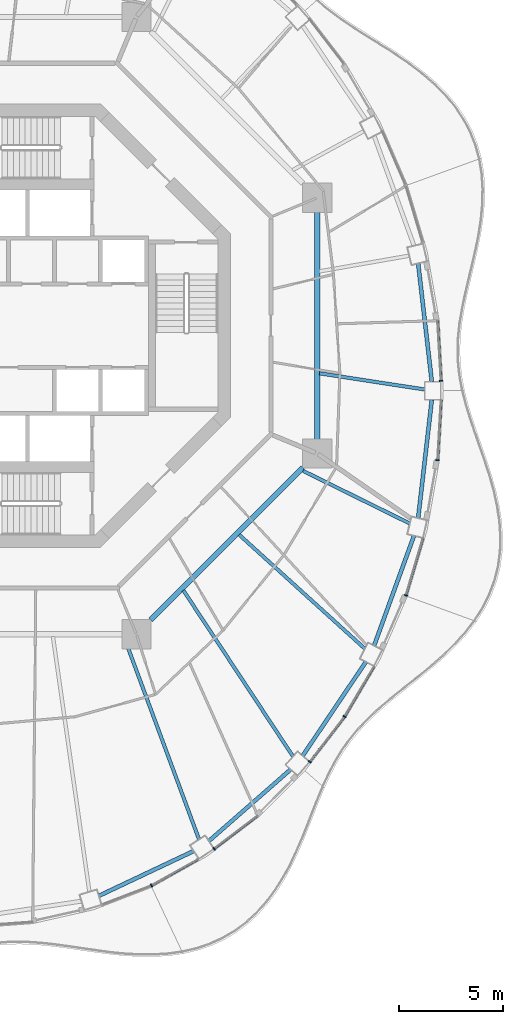
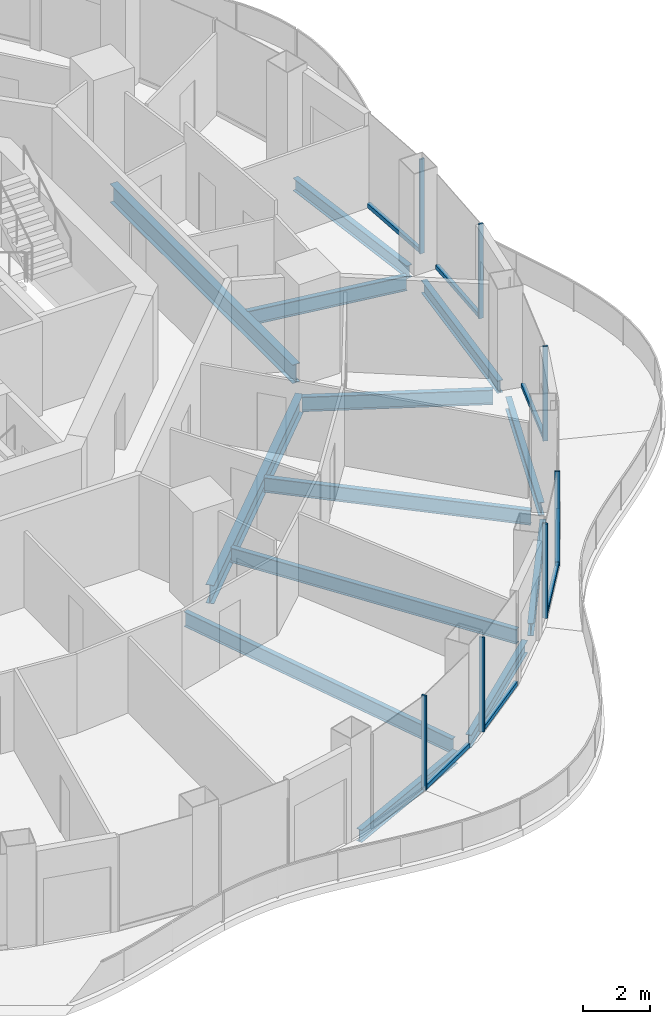
# One storey, part 4 of 17: 14 members, 13 beams, 7 elements without a shape of their own.
"""IFC4 building model written with IfcOpenShell, lengths in metres."""

from ifc_helpers import new_model, si_unit, direction, frame, origin, origin_2d, place, context, subcontext, project, spatial, rectangle, i_section, extrude, material, layer, layer_set, material_profile, profile_set, type_object, element, aggregate, save


model = new_model("IFC4")

# Units and contexts
model_context = context("Model", 3, precision=1e-05, world=origin(), true_north=direction((0.0, 1.0)))
body_context = subcontext(model_context, "Body", "Model", "MODEL_VIEW")
ifc_project = project(units=[si_unit("LENGTHUNIT", "METRE"), si_unit("AREAUNIT", "SQUARE_METRE"), si_unit("VOLUMEUNIT", "CUBIC_METRE"), si_unit("PLANEANGLEUNIT", "RADIAN"), si_unit("MASSUNIT", "GRAM", prefix="KILO")], contexts=[model_context])

# Site, building, storey
site_placement = place(None, origin())
site = spatial("IfcSite", under=ifc_project, at=site_placement, CompositionType="ELEMENT")
building_placement = place(site_placement, origin())
building = spatial("IfcBuilding", under=site, at=building_placement, Name="Nagisa Residences", CompositionType="ELEMENT")
storey_placement = place(building_placement, frame((0.0, 0.0, 265.89990234375)))
storey = spatial("IfcBuildingStorey", under=building, at=storey_placement, Name="L67", CompositionType="ELEMENT", Elevation=265.89990234375)

# Curtain wall, member
ifc_material_1 = material(Name="Concrete-coloured aluminium curtain wall system", Category="concrete")
ifc_layer = layer(ifc_material_1, 0.159912109375)
ifc_layer_set = layer_set([ifc_layer], Name="CW1 CURTAIN WALL")
curtain_wall_type = type_object("IfcCurtainWallType", Name="CW1 CURTAIN WALL", PredefinedType="NOTDEFINED", material=ifc_layer_set)
curtain_wall_1_placement = place(storey_placement, origin())
curtain_wall_1 = element("IfcCurtainWall", 1, at=curtain_wall_1_placement, inside=storey, type_object=curtain_wall_type, Name="cw:CW1:L67:00", PredefinedType="NOTDEFINED")
ifc_material_2 = material(Name="Concrete-coloured aluminium", Category="concrete")
ifc_material_profile_1 = material_profile(ifc_material_2, rectangle(XDim=0.159912109375, YDim=0.06005859375, at=origin_2d()), Name="CW1 MULLION 160x60")
ifc_profile_set_1 = profile_set([ifc_material_profile_1], Name="Concrete-coloured aluminium")
member_type_1 = type_object("IfcMemberType", Name="CW1 MULLION 160x60", PredefinedType="MULLION", material=ifc_profile_set_1)
member_1_placement = place(storey_placement, frame((20.712646484375, -2.64306640625, 0.0), z_axis=(0.0, 0.0, 1.0), x_axis=(-0.998345305184, -0.057503492216, 0.0)))
member_1 = element("IfcMember", 2, at=member_1_placement, type_object=member_type_1, Name="CW1 mullion", PredefinedType="MULLION", context=body_context, shape_type="SweptSolid", body=[
    extrude(rectangle(XDim=0.159912109375, YDim=0.06005859375, at=origin_2d()), origin(), (0.0, 0.0, 1.0), 3.440185546875),
])

curtain_wall_2_placement = place(storey_placement, origin())
curtain_wall_2 = element("IfcCurtainWall", 3, at=curtain_wall_2_placement, inside=storey, type_object=curtain_wall_type, Name="cw:CW1:L67:39", PredefinedType="NOTDEFINED")
member_2_placement = place(storey_placement, frame((6.84326171875, -26.81396484375, 0.0), z_axis=(0.0, 0.0, 1.0), x_axis=(-0.489376918501, 0.872072377523, 0.0)))
member_2 = element("IfcMember", 4, at=member_2_placement, type_object=member_type_1, Name="CW1 mullion", PredefinedType="MULLION", context=body_context, shape_type="SweptSolid", body=[
    extrude(rectangle(XDim=0.159912109375, YDim=0.06005859375, at=origin_2d()), origin(), (0.0, 0.0, 1.0), 3.440185546875),
])

curtain_wall_3_placement = place(storey_placement, origin())
curtain_wall_3 = element("IfcCurtainWall", 5, at=curtain_wall_3_placement, inside=storey, type_object=curtain_wall_type, Name="cw:CW1:L67:40", PredefinedType="NOTDEFINED")
member_3_placement = place(storey_placement, frame((9.84375, -25.054931640625, 0.0), z_axis=(0.0, 0.0, 1.0), x_axis=(-0.605255421737, 0.79603132756, 0.0)))
member_3 = element("IfcMember", 6, at=member_3_placement, type_object=member_type_1, Name="CW1 mullion", PredefinedType="MULLION", context=body_context, shape_type="SweptSolid", body=[
    extrude(rectangle(XDim=0.159912109375, YDim=0.06005859375, at=origin_2d()), origin(), (0.0, 0.0, 1.0), 3.440185546875),
])

curtain_wall_4_placement = place(storey_placement, origin())
curtain_wall_4 = element("IfcCurtainWall", 7, at=curtain_wall_4_placement, inside=storey, type_object=curtain_wall_type, Name="cw:CW1:L67:42", PredefinedType="NOTDEFINED")
member_4_placement = place(storey_placement, frame((14.42431640625, -20.8896484375, 0.0), z_axis=(0.0, 0.0, 1.0), x_axis=(-0.792070340816, 0.610429828235, 0.0)))
member_4 = element("IfcMember", 8, at=member_4_placement, type_object=member_type_1, Name="CW1 mullion", PredefinedType="MULLION", context=body_context, shape_type="SweptSolid", body=[
    extrude(rectangle(XDim=0.159912109375, YDim=0.06005859375, at=origin_2d()), origin(), (0.0, 0.0, 1.0), 3.440185546875),
])

curtain_wall_5_placement = place(storey_placement, origin())
curtain_wall_5 = element("IfcCurtainWall", 9, at=curtain_wall_5_placement, inside=storey, type_object=curtain_wall_type, Name="cw:CW1:L67:43", PredefinedType="NOTDEFINED")
member_5_placement = place(storey_placement, frame((16.091796875, -18.720947265625, 0.0), z_axis=(0.0, 0.0, 1.0), x_axis=(-0.862328898214, 0.506348567002, 0.0)))
member_5 = element("IfcMember", 10, at=member_5_placement, type_object=member_type_1, Name="CW1 mullion", PredefinedType="MULLION", context=body_context, shape_type="SweptSolid", body=[
    extrude(rectangle(XDim=0.159912109375, YDim=0.06005859375, at=origin_2d()), origin(), (0.0, 0.0, 1.0), 3.440185546875),
])

curtain_wall_6_placement = place(storey_placement, origin())
curtain_wall_6 = element("IfcCurtainWall", 11, at=curtain_wall_6_placement, inside=storey, type_object=curtain_wall_type, Name="cw:CW1:L67:45", PredefinedType="NOTDEFINED")
member_6_placement = place(storey_placement, frame((19.030029296875, -12.916259765625, 0.0), z_axis=(0.0, 0.0, 1.0), x_axis=(-0.958271310082, 0.285860274038, 0.0)))
member_6 = element("IfcMember", 12, at=member_6_placement, type_object=member_type_1, Name="CW1 mullion", PredefinedType="MULLION", context=body_context, shape_type="SweptSolid", body=[
    extrude(rectangle(XDim=0.159912109375, YDim=0.06005859375, at=origin_2d()), origin(), (0.0, 0.0, 1.0), 3.440185546875),
])

curtain_wall_7_placement = place(storey_placement, origin())
curtain_wall_7 = element("IfcCurtainWall", 13, at=curtain_wall_7_placement, inside=storey, type_object=curtain_wall_type, Name="cw:CW1:L67:47", PredefinedType="NOTDEFINED")
member_7_placement = place(storey_placement, frame((20.54833984375, -6.44287109375, 0.0), z_axis=(0.0, 0.0, 1.0), x_axis=(-0.998345305184, 0.057503492216, 0.0)))
member_7 = element("IfcMember", 14, at=member_7_placement, type_object=member_type_1, Name="CW1 mullion", PredefinedType="MULLION", context=body_context, shape_type="SweptSolid", body=[
    extrude(rectangle(XDim=0.159912109375, YDim=0.06005859375, at=origin_2d()), origin(), (0.0, 0.0, 1.0), 3.440185546875),
])

# Member
ifc_material_3 = material(Name="Concrete-coloured aluminium", Category="concrete")
ifc_material_profile_2 = material_profile(ifc_material_3, rectangle(XDim=0.1201171875, YDim=0.14990234375, at=origin_2d()), Name="CW1 TRANSOM 120x150")
ifc_profile_set_2 = profile_set([ifc_material_profile_2], Name="Concrete-coloured aluminium")
member_type_2 = type_object("IfcMemberType", Name="CW1 TRANSOM 120x150", PredefinedType="USERDEFINED", material=ifc_profile_set_2)
member_8_placement = place(storey_placement, frame((20.71435546875, -2.673095703125, 0.0751953125), z_axis=(-0.057529123486, 0.998343828524, 0.0), x_axis=(-0.998343828524, -0.057529123486, 0.0)))
member_8 = element("IfcMember", 15, at=member_8_placement, type_object=member_type_2, Name="CW1 transom", ObjectType="TRANSOM", PredefinedType="USERDEFINED", context=body_context, shape_type="SweptSolid", body=[
    extrude(rectangle(XDim=0.1201171875, YDim=0.14990234375, at=origin_2d()), origin(), (0.0, 0.0, 1.0), 2.91552734375),
])

aggregate(curtain_wall_1, [member_1, member_8])

member_9_placement = place(storey_placement, frame((6.817138671875, -26.82861328125, 0.0751953125), z_axis=(0.872052877201, 0.489411666561, 0.0), x_axis=(-0.489411666561, 0.872052877201, 0.0)))
member_9 = element("IfcMember", 16, at=member_9_placement, type_object=member_type_2, Name="CW1 transom", ObjectType="TRANSOM", PredefinedType="USERDEFINED", context=body_context, shape_type="SweptSolid", body=[
    extrude(rectangle(XDim=0.1201171875, YDim=0.14990234375, at=origin_2d()), origin(), (0.0, 0.0, 1.0), 2.593017578125),
])

aggregate(curtain_wall_2, [member_2, member_9])

member_10_placement = place(storey_placement, frame((9.81982421875, -25.0732421875, 0.0751953125), z_axis=(0.796010739377, 0.605282498339, 0.0), x_axis=(-0.605282498339, 0.796010739377, 0.0)))
member_10 = element("IfcMember", 17, at=member_10_placement, type_object=member_type_2, Name="CW1 transom", ObjectType="TRANSOM", PredefinedType="USERDEFINED", context=body_context, shape_type="SweptSolid", body=[
    extrude(rectangle(XDim=0.1201171875, YDim=0.14990234375, at=origin_2d()), origin(), (0.0, 0.0, 1.0), 2.640625),
])

aggregate(curtain_wall_3, [member_3, member_10])

member_11_placement = place(storey_placement, frame((14.406005859375, -20.913330078125, 0.0751953125), z_axis=(0.610432336622, 0.792068407656, 0.0), x_axis=(-0.792068407656, 0.610432336622, 0.0)))
member_11 = element("IfcMember", 18, at=member_11_placement, type_object=member_type_2, Name="CW1 transom", ObjectType="TRANSOM", PredefinedType="USERDEFINED", context=body_context, shape_type="SweptSolid", body=[
    extrude(rectangle(XDim=0.1201171875, YDim=0.14990234375, at=origin_2d()), origin(), (0.0, 0.0, 1.0), 2.74609375),
])

aggregate(curtain_wall_4, [member_4, member_11])

member_12_placement = place(storey_placement, frame((16.07666015625, -18.74658203125, 0.0751953125), z_axis=(0.506371364425, 0.862315511452, 0.0), x_axis=(-0.862315511452, 0.506371364425, 0.0)))
member_12 = element("IfcMember", 19, at=member_12_placement, type_object=member_type_2, Name="CW1 transom", ObjectType="TRANSOM", PredefinedType="USERDEFINED", context=body_context, shape_type="SweptSolid", body=[
    extrude(rectangle(XDim=0.1201171875, YDim=0.14990234375, at=origin_2d()), origin(), (0.0, 0.0, 1.0), 2.79638671875),
])

aggregate(curtain_wall_5, [member_5, member_12])

member_13_placement = place(storey_placement, frame((19.021484375, -12.945068359375, 0.0751953125), z_axis=(0.285876209024, 0.9582665564, 0.0), x_axis=(-0.9582665564, 0.285876209024, 0.0)))
member_13 = element("IfcMember", 20, at=member_13_placement, type_object=member_type_2, Name="CW1 transom", ObjectType="TRANSOM", PredefinedType="USERDEFINED", context=body_context, shape_type="SweptSolid", body=[
    extrude(rectangle(XDim=0.1201171875, YDim=0.14990234375, at=origin_2d()), origin(), (0.0, 0.0, 1.0), 2.877197265625),
])

aggregate(curtain_wall_6, [member_6, member_13])

member_14_placement = place(storey_placement, frame((20.546630859375, -6.472900390625, 0.0751953125), z_axis=(0.057529123486, 0.998343828524, 0.0), x_axis=(-0.998343828524, 0.057529123486, 0.0)))
member_14 = element("IfcMember", 21, at=member_14_placement, type_object=member_type_2, Name="CW1 transom", ObjectType="TRANSOM", PredefinedType="USERDEFINED", context=body_context, shape_type="SweptSolid", body=[
    extrude(rectangle(XDim=0.1201171875, YDim=0.14990234375, at=origin_2d()), origin(), (0.0, 0.0, 1.0), 2.91552734375),
])

aggregate(curtain_wall_7, [member_7, member_14])

# Beams
ifc_material_4 = material(Name="Steel ASTM A572 Gr 50", Category="steel")
ifc_material_profile_3 = material_profile(ifc_material_4, i_section(OverallWidth=0.2529296875, OverallDepth=0.677978515625, WebThickness=0.01171875, FlangeThickness=0.016357421875, at=origin_2d()), Name="W690x125")
ifc_profile_set_3 = profile_set([ifc_material_profile_3], Name="Steel ASTM A572 Gr 50")
beam_type_1 = type_object("IfcBeamType", Name="Inner ring beam W690x125", PredefinedType="BEAM", material=ifc_profile_set_3)
beam_1_placement = place(storey_placement, frame((6.808837890625, -14.09619140625, -0.598876953125), z_axis=(0.707106781187, 0.707106781187, 0.0), x_axis=(-0.707106781187, 0.707106781187, 0.0)))
element("IfcBeam", 22, at=beam_1_placement, inside=storey, type_object=beam_type_1, Name="beam:L67:ib7", PredefinedType="BEAM", context=body_context, shape_type="SweptSolid", body=[
    extrude(i_section(OverallWidth=0.2529296875, OverallDepth=0.677978515625, WebThickness=0.01171875, FlangeThickness=0.016357421875, at=origin_2d()), origin(), (0.0, 0.0, 1.0), 10.305908203125),
])
beam_2_placement = place(storey_placement, frame((14.781982421875, -5.44287109375, -0.598876953125), z_axis=(0.0, 1.0, 0.0), x_axis=(-1.0, 0.0, 0.0)))
element("IfcBeam", 23, at=beam_2_placement, inside=storey, type_object=beam_type_1, Name="beam:L67:ib8", PredefinedType="BEAM", context=body_context, shape_type="SweptSolid", body=[
    extrude(i_section(OverallWidth=0.2529296875, OverallDepth=0.677978515625, WebThickness=0.01171875, FlangeThickness=0.016357421875, at=origin_2d()), origin(), (0.0, 0.0, 1.0), 10.8857421875),
])
ifc_material_5 = material(Name="Steel ASTM A572 Gr 50", Category="steel")
ifc_material_profile_4 = material_profile(ifc_material_5, i_section(OverallWidth=0.18994140625, OverallDepth=0.45703125, WebThickness=0.009033203125, FlangeThickness=0.014404296875, at=origin_2d()), Name="W460x74")
ifc_profile_set_4 = profile_set([ifc_material_profile_4], Name="Steel ASTM A572 Gr 50")
beam_type_2 = type_object("IfcBeamType", Name="Perimeter ring beam W460x74", PredefinedType="BEAM", material=ifc_profile_set_4)
beam_3_placement = place(storey_placement, frame((20.270263671875, -2.6875, -0.48828125), z_axis=(-0.114593271741, 0.993412493414, 0.0), x_axis=(-0.993412493414, -0.114593271741, 0.0)))
element("IfcBeam", 24, at=beam_3_placement, inside=storey, type_object=beam_type_2, Name="beam:L67:pb01", PredefinedType="BEAM", context=body_context, shape_type="SweptSolid", body=[
    extrude(i_section(OverallWidth=0.18994140625, OverallDepth=0.45703125, WebThickness=0.009033203125, FlangeThickness=0.014404296875, at=origin_2d()), origin(), (0.0, 0.0, 1.0), 5.709716796875),
])
beam_4_placement = place(storey_placement, frame((4.318115234375, -27.311767578125, -0.48828125), z_axis=(0.904115893837, 0.427287316113, 0.0), x_axis=(-0.427287316113, 0.904115893837, 0.0)))
element("IfcBeam", 25, at=beam_4_placement, inside=storey, type_object=beam_type_2, Name="beam:L67:pb20", PredefinedType="BEAM", context=body_context, shape_type="SweptSolid", body=[
    extrude(i_section(OverallWidth=0.18994140625, OverallDepth=0.45703125, WebThickness=0.009033203125, FlangeThickness=0.014404296875, at=origin_2d()), origin(), (0.0, 0.0, 1.0), 5.031494140625),
])
beam_5_placement = place(storey_placement, frame((9.586669921875, -24.690185546875, -0.48828125), z_axis=(0.752385480596, 0.658723074279, 0.0), x_axis=(-0.658723074279, 0.752385480596, 0.0)))
element("IfcBeam", 26, at=beam_5_placement, inside=storey, type_object=beam_type_2, Name="beam:L67:pb21", PredefinedType="BEAM", context=body_context, shape_type="SweptSolid", body=[
    extrude(i_section(OverallWidth=0.18994140625, OverallDepth=0.45703125, WebThickness=0.009033203125, FlangeThickness=0.014404296875, at=origin_2d()), origin(), (0.0, 0.0, 1.0), 5.220947265625),
])
beam_6_placement = place(storey_placement, frame((14.083251953125, -20.605224609375, -0.48828125), z_axis=(0.558045612854, 0.829810275891, 0.0), x_axis=(-0.829810275891, 0.558045612854, 0.0)))
element("IfcBeam", 27, at=beam_6_placement, inside=storey, type_object=beam_type_2, Name="beam:L67:pb22", PredefinedType="BEAM", context=body_context, shape_type="SweptSolid", body=[
    extrude(i_section(OverallWidth=0.18994140625, OverallDepth=0.45703125, WebThickness=0.009033203125, FlangeThickness=0.014404296875, at=origin_2d()), origin(), (0.0, 0.0, 1.0), 5.432373046875),
])
beam_7_placement = place(storey_placement, frame((17.50439453125, -15.330322265625, -0.48828125), z_axis=(0.341211850477, 0.93998642176, 0.0), x_axis=(-0.93998642176, 0.341211850477, 0.0)))
element("IfcBeam", 28, at=beam_7_placement, inside=storey, type_object=beam_type_2, Name="beam:L67:pb23", PredefinedType="BEAM", context=body_context, shape_type="SweptSolid", body=[
    extrude(i_section(OverallWidth=0.18994140625, OverallDepth=0.45703125, WebThickness=0.009033203125, FlangeThickness=0.014404296875, at=origin_2d()), origin(), (0.0, 0.0, 1.0), 5.609619140625),
])
beam_8_placement = place(storey_placement, frame((19.615966796875, -9.219970703125, -0.48828125), z_axis=(0.114593271741, 0.993412493414, 0.0), x_axis=(-0.993412493414, 0.114593271741, 0.0)))
element("IfcBeam", 29, at=beam_8_placement, inside=storey, type_object=beam_type_2, Name="beam:L67:pb24", PredefinedType="BEAM", context=body_context, shape_type="SweptSolid", body=[
    extrude(i_section(OverallWidth=0.18994140625, OverallDepth=0.45703125, WebThickness=0.009033203125, FlangeThickness=0.014404296875, at=origin_2d()), origin(), (0.0, 0.0, 1.0), 5.709716796875),
])
ifc_material_6 = material(Name="Steel ASTM A572 Gr 50", Category="steel")
ifc_material_profile_5 = material_profile(ifc_material_6, i_section(OverallWidth=0.166015625, OverallDepth=0.534912109375, WebThickness=0.01025390625, FlangeThickness=0.0166015625, at=origin_2d()), Name="W530x85")
ifc_profile_set_5 = profile_set([ifc_material_profile_5], Name="Steel ASTM A572 Gr 50")
beam_type_3 = type_object("IfcBeamType", Name="Radial beam W530x85", PredefinedType="BEAM", material=ifc_profile_set_5)
beam_9_placement = place(storey_placement, frame((19.939697265625, -3.059326171875, -0.52734375), z_axis=(-0.988434580655, 0.151647880849, 0.0), x_axis=(-0.151647880849, -0.988434580655, 0.0)))
element("IfcBeam", 30, at=beam_9_placement, inside=storey, type_object=beam_type_3, Name="beam:L67:rb01", PredefinedType="BEAM", context=body_context, shape_type="SweptSolid", body=[
    extrude(i_section(OverallWidth=0.166015625, OverallDepth=0.534912109375, WebThickness=0.01025390625, FlangeThickness=0.0166015625, at=origin_2d()), origin(), (0.0, 0.0, 1.0), 5.10986328125),
])
beam_10_placement = place(storey_placement, frame((9.124267578125, -24.610107421875, -0.52734375), z_axis=(-0.347626513472, 0.93763308769, 0.0), x_axis=(-0.93763308769, -0.347626513472, 0.0)))
element("IfcBeam", 31, at=beam_10_placement, inside=storey, type_object=beam_type_3, Name="beam:L67:rb21", PredefinedType="BEAM", context=body_context, shape_type="SweptSolid", body=[
    extrude(i_section(OverallWidth=0.166015625, OverallDepth=0.534912109375, WebThickness=0.01025390625, FlangeThickness=0.0166015625, at=origin_2d()), origin(), (0.0, 0.0, 1.0), 10.36669921875),
])
beam_11_placement = place(storey_placement, frame((13.623779296875, -20.6357421875, -0.52734375), z_axis=(-0.550958197916, 0.834532841864, 0.0), x_axis=(-0.834532841864, -0.550958197916, 0.0)))
element("IfcBeam", 32, at=beam_11_placement, inside=storey, type_object=beam_type_3, Name="beam:L67:rb22", PredefinedType="BEAM", context=body_context, shape_type="SweptSolid", body=[
    extrude(i_section(OverallWidth=0.166015625, OverallDepth=0.534912109375, WebThickness=0.01025390625, FlangeThickness=0.0166015625, at=origin_2d()), origin(), (0.0, 0.0, 1.0), 9.52978515625),
])
beam_12_placement = place(storey_placement, frame((17.064208984375, -15.47265625, -0.52734375), z_axis=(-0.740818788558, 0.671704937096, 0.0), x_axis=(-0.671704937096, -0.740818788558, 0.0)))
element("IfcBeam", 33, at=beam_12_placement, inside=storey, type_object=beam_type_3, Name="beam:L67:rb23", PredefinedType="BEAM", context=body_context, shape_type="SweptSolid", body=[
    extrude(i_section(OverallWidth=0.166015625, OverallDepth=0.534912109375, WebThickness=0.01025390625, FlangeThickness=0.0166015625, at=origin_2d()), origin(), (0.0, 0.0, 1.0), 8.128173828125),
])
beam_13_placement = place(storey_placement, frame((19.216064453125, -9.4775390625, -0.52734375), z_axis=(-0.896862727732, 0.442308995618, 0.0), x_axis=(-0.442308995618, -0.896862727732, 0.0)))
element("IfcBeam", 34, at=beam_13_placement, inside=storey, type_object=beam_type_3, Name="beam:L67:rb24", PredefinedType="BEAM", context=body_context, shape_type="SweptSolid", body=[
    extrude(i_section(OverallWidth=0.166015625, OverallDepth=0.534912109375, WebThickness=0.01025390625, FlangeThickness=0.0166015625, at=origin_2d()), origin(), (0.0, 0.0, 1.0), 5.702392578125),
])

save(model, "model.ifc")
